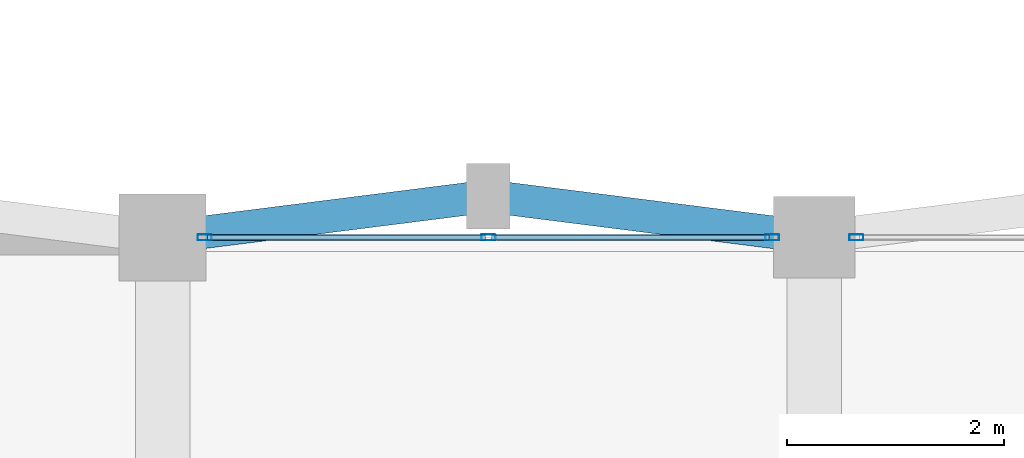
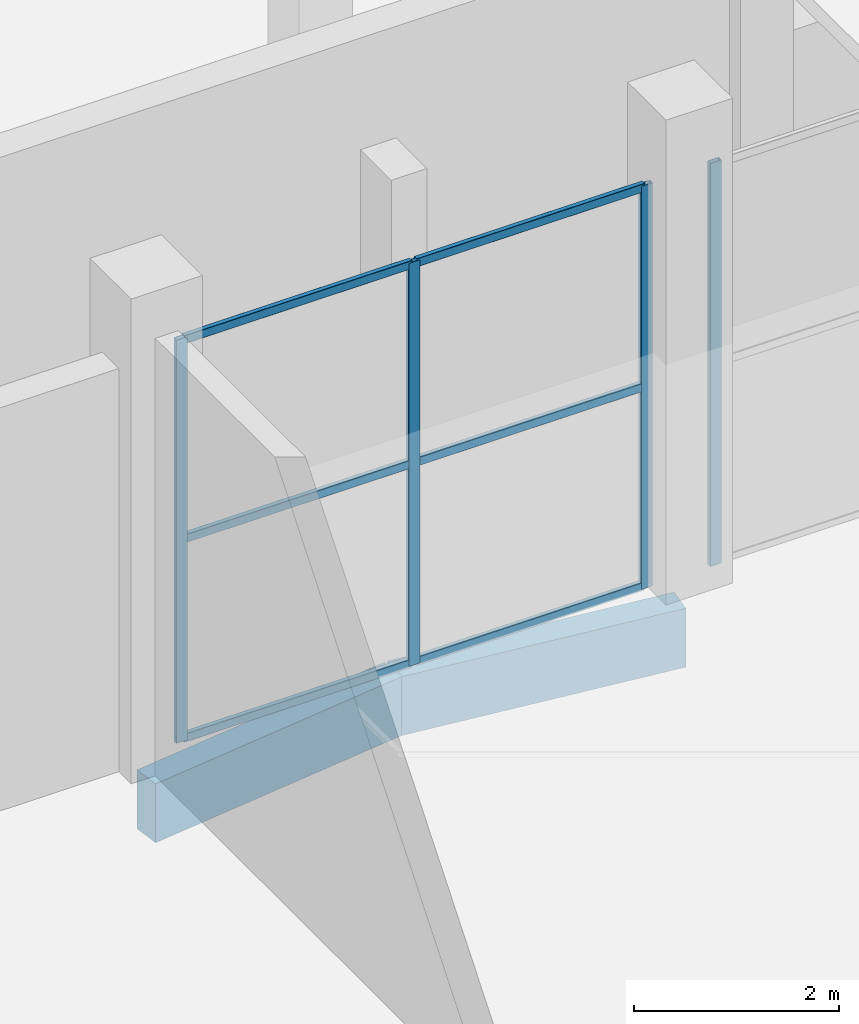
# One storey, part 37 of 103: 10 members, 2 beams, 2 elements without a shape of their own.
"""IFC4 building model written with IfcOpenShell, lengths in metres."""

from ifc_helpers import new_model, si_unit, direction, frame, origin, origin_2d, place, context, subcontext, project, spatial, rectangle, hollow_rectangle, extrude, material, layer, layer_set, material_profile, profile_set, type_object, element, aggregate, save


model = new_model("IFC4")

# Units and contexts
model_context = context("Model", 3, precision=1e-05, world=origin(), true_north=direction((0.0, 1.0)))
body_context = subcontext(model_context, "Body", "Model", "MODEL_VIEW")
ifc_project = project(units=[si_unit("LENGTHUNIT", "METRE"), si_unit("AREAUNIT", "SQUARE_METRE"), si_unit("VOLUMEUNIT", "CUBIC_METRE"), si_unit("PLANEANGLEUNIT", "RADIAN"), si_unit("MASSUNIT", "GRAM", prefix="KILO")], contexts=[model_context])

# Site, building, storey
site_placement = place(None, origin())
site = spatial("IfcSite", under=ifc_project, at=site_placement, CompositionType="ELEMENT")
building_placement = place(site_placement, origin())
building = spatial("IfcBuilding", under=site, at=building_placement, Name="Dunvalen Ferry Terminal", CompositionType="ELEMENT")
storey_placement = place(building_placement, origin())
storey = spatial("IfcBuildingStorey", under=building, at=storey_placement, Name="L00", CompositionType="ELEMENT", Elevation=0.0)

# Curtain wall, member
ifc_material_1 = material(Name="Anodised marine aluminium and solar-control glazing", Category="aluminium")
ifc_layer = layer(ifc_material_1, 0.14990234375, Name="Anodised marine aluminium and solar-control glazing")
ifc_layer_set = layer_set([ifc_layer], Name="Anodised marine aluminium and solar-control glazing")
curtain_wall_type = type_object("IfcCurtainWallType", Name="ENV-CW-SYS-11", PredefinedType="NOTDEFINED", material=ifc_layer_set)
curtain_wall_1_placement = place(storey_placement, origin())
curtain_wall_1 = element("IfcCurtainWall", 1, at=curtain_wall_1_placement, inside=storey, type_object=curtain_wall_type, Name="L00 Curtain Wall CW-V5CORE-L00-7-9", PredefinedType="NOTDEFINED")
ifc_material_2 = material(Name="Anodised marine aluminium EN AW-6063 T6", Category="aluminium")
ifc_material_profile_1 = material_profile(ifc_material_2, hollow_rectangle(XDim=0.054931640625, YDim=0.1298828125, WallThickness=0.003173828125, InnerFilletRadius=0.003173828125, OuterFilletRadius=0.00634765625, at=origin_2d()), Name="Anodised marine aluminium EN AW-6063 T6")
ifc_profile_set_1 = profile_set([ifc_material_profile_1], Name="Anodised marine aluminium EN AW-6063 T6")
member_type_1 = type_object("IfcMemberType", Name="ENV-CW-MUL-4", PredefinedType="MULLION", material=ifc_profile_set_1)
member_1_placement = place(storey_placement, frame((30.387451171875, 36.0, 0.0), z_axis=(0.0, 0.0, 1.0), x_axis=(0.0, -1.0, 0.0)))
member_1 = element("IfcMember", 2, at=member_1_placement, type_object=member_type_1, Name="CW-11 mullion 3", PredefinedType="MULLION", context=body_context, shape_type="SweptSolid", body=[
    extrude(hollow_rectangle(XDim=0.054931640625, YDim=0.1298828125, WallThickness=0.003173828125, InnerFilletRadius=0.003173828125, OuterFilletRadius=0.00634765625, at=origin_2d()), origin(), (0.0, 0.0, 1.0), 4.7900390625),
])
aggregate(curtain_wall_1, [member_1])

# Curtain wall, members
curtain_wall_2_placement = place(storey_placement, origin())
curtain_wall_2 = element("IfcCurtainWall", 3, at=curtain_wall_2_placement, inside=storey, type_object=curtain_wall_type, Name="L00 Curtain Wall CW-V5CORE-L00-7-10", PredefinedType="NOTDEFINED")
member_2_placement = place(storey_placement, frame((29.612548828125, 36.0, 0.0), z_axis=(0.0, 0.0, 1.0), x_axis=(0.0, -1.0, 0.0)))
member_2 = element("IfcMember", 4, at=member_2_placement, type_object=member_type_1, Name="CW-11 mullion 1", PredefinedType="MULLION", context=body_context, shape_type="SweptSolid", body=[
    extrude(hollow_rectangle(XDim=0.054931640625, YDim=0.1298828125, WallThickness=0.003173828125, InnerFilletRadius=0.003173828125, OuterFilletRadius=0.00634765625, at=origin_2d()), origin(), (0.0, 0.0, 1.0), 4.7900390625),
])
member_3_placement = place(storey_placement, frame((27.0, 36.0, 0.0), z_axis=(0.0, 0.0, 1.0), x_axis=(0.0, -1.0, 0.0)))
member_3 = element("IfcMember", 5, at=member_3_placement, type_object=member_type_1, Name="CW-11 mullion 2", PredefinedType="MULLION", context=body_context, shape_type="SweptSolid", body=[
    extrude(hollow_rectangle(XDim=0.054931640625, YDim=0.1298828125, WallThickness=0.003173828125, InnerFilletRadius=0.003173828125, OuterFilletRadius=0.00634765625, at=origin_2d()), origin(), (0.0, 0.0, 1.0), 4.7900390625),
])
member_4_placement = place(storey_placement, frame((24.387451171875, 36.0, 0.0), z_axis=(0.0, 0.0, 1.0), x_axis=(0.0, -1.0, 0.0)))
member_4 = element("IfcMember", 6, at=member_4_placement, type_object=member_type_1, Name="CW-11 mullion 3", PredefinedType="MULLION", context=body_context, shape_type="SweptSolid", body=[
    extrude(hollow_rectangle(XDim=0.054931640625, YDim=0.1298828125, WallThickness=0.003173828125, InnerFilletRadius=0.003173828125, OuterFilletRadius=0.00634765625, at=origin_2d()), origin(), (0.0, 0.0, 1.0), 4.7900390625),
])
ifc_material_profile_2 = material_profile(ifc_material_2, hollow_rectangle(XDim=0.054931640625, YDim=0.10009765625, WallThickness=0.0029296875, InnerFilletRadius=0.0029296875, OuterFilletRadius=0.006103515625, at=origin_2d()), Name="Anodised marine aluminium EN AW-6063 T6")
ifc_profile_set_2 = profile_set([ifc_material_profile_2], Name="Anodised marine aluminium EN AW-6063 T6")
member_type_2 = type_object("IfcMemberType", Name="ENV-CW-TRN-4", PredefinedType="USERDEFINED", material=ifc_profile_set_2)
member_5_placement = place(storey_placement, frame((29.5849609375, 36.0, 0.027587890625), z_axis=(-1.0, 0.0, 0.0), x_axis=(0.0, -1.0, 0.0)))
member_5 = element("IfcMember", 7, at=member_5_placement, type_object=member_type_2, Name="CW-11 transom 1.1", ObjectType="TRANSOM", PredefinedType="USERDEFINED", context=body_context, shape_type="SweptSolid", body=[
    extrude(hollow_rectangle(XDim=0.054931640625, YDim=0.10009765625, WallThickness=0.0029296875, InnerFilletRadius=0.0029296875, OuterFilletRadius=0.006103515625, at=origin_2d()), origin(), (0.0, 0.0, 1.0), 2.557373046875),
])
member_6_placement = place(storey_placement, frame((29.5849609375, 36.0, 2.39501953125), z_axis=(-1.0, 0.0, 0.0), x_axis=(0.0, -1.0, 0.0)))
member_6 = element("IfcMember", 8, at=member_6_placement, type_object=member_type_2, Name="CW-11 transom 1.2", ObjectType="TRANSOM", PredefinedType="USERDEFINED", context=body_context, shape_type="SweptSolid", body=[
    extrude(hollow_rectangle(XDim=0.054931640625, YDim=0.10009765625, WallThickness=0.0029296875, InnerFilletRadius=0.0029296875, OuterFilletRadius=0.006103515625, at=origin_2d()), origin(), (0.0, 0.0, 1.0), 2.557373046875),
])
member_7_placement = place(storey_placement, frame((29.5849609375, 36.0, 4.762451171875), z_axis=(-1.0, 0.0, 0.0), x_axis=(0.0, -1.0, 0.0)))
member_7 = element("IfcMember", 9, at=member_7_placement, type_object=member_type_2, Name="CW-11 transom 1.3", ObjectType="TRANSOM", PredefinedType="USERDEFINED", context=body_context, shape_type="SweptSolid", body=[
    extrude(hollow_rectangle(XDim=0.054931640625, YDim=0.10009765625, WallThickness=0.0029296875, InnerFilletRadius=0.0029296875, OuterFilletRadius=0.006103515625, at=origin_2d()), origin(), (0.0, 0.0, 1.0), 2.557373046875),
])
member_8_placement = place(storey_placement, frame((26.972412109375, 36.0, 0.027587890625), z_axis=(-1.0, 0.0, 0.0), x_axis=(0.0, -1.0, 0.0)))
member_8 = element("IfcMember", 10, at=member_8_placement, type_object=member_type_2, Name="CW-11 transom 2.1", ObjectType="TRANSOM", PredefinedType="USERDEFINED", context=body_context, shape_type="SweptSolid", body=[
    extrude(hollow_rectangle(XDim=0.054931640625, YDim=0.10009765625, WallThickness=0.0029296875, InnerFilletRadius=0.0029296875, OuterFilletRadius=0.006103515625, at=origin_2d()), origin(), (0.0, 0.0, 1.0), 2.557373046875),
])
member_9_placement = place(storey_placement, frame((26.972412109375, 36.0, 2.39501953125), z_axis=(-1.0, 0.0, 0.0), x_axis=(0.0, -1.0, 0.0)))
member_9 = element("IfcMember", 11, at=member_9_placement, type_object=member_type_2, Name="CW-11 transom 2.2", ObjectType="TRANSOM", PredefinedType="USERDEFINED", context=body_context, shape_type="SweptSolid", body=[
    extrude(hollow_rectangle(XDim=0.054931640625, YDim=0.10009765625, WallThickness=0.0029296875, InnerFilletRadius=0.0029296875, OuterFilletRadius=0.006103515625, at=origin_2d()), origin(), (0.0, 0.0, 1.0), 2.557373046875),
])
member_10_placement = place(storey_placement, frame((26.972412109375, 36.0, 4.762451171875), z_axis=(-1.0, 0.0, 0.0), x_axis=(0.0, -1.0, 0.0)))
member_10 = element("IfcMember", 12, at=member_10_placement, type_object=member_type_2, Name="CW-11 transom 2.3", ObjectType="TRANSOM", PredefinedType="USERDEFINED", context=body_context, shape_type="SweptSolid", body=[
    extrude(hollow_rectangle(XDim=0.054931640625, YDim=0.10009765625, WallThickness=0.0029296875, InnerFilletRadius=0.0029296875, OuterFilletRadius=0.006103515625, at=origin_2d()), origin(), (0.0, 0.0, 1.0), 2.557373046875),
])
aggregate(curtain_wall_2, [member_2, member_3, member_4, member_5, member_6, member_7, member_8, member_9, member_10])

# Beams
ifc_material_3 = material(Name="Concrete C40/50", Category="concrete")
ifc_material_profile_3 = material_profile(ifc_material_3, rectangle(XDim=0.300048828125, YDim=0.699951171875, at=origin_2d()), Name="Concrete C40/50")
ifc_profile_set_3 = profile_set([ifc_material_profile_3], Name="Concrete C40/50")
beam_type = type_object("IfcBeamType", Name="STR-BM-RCSP700", PredefinedType="SPANDREL", material=ifc_profile_set_3)
for number, where, z_axis, x_axis, name in (
    (13, (24.0, 36.0, -0.64990234375), (0.992077869489, 0.12562444376, 0.0), (-0.12562444376, 0.992077869489, 0.0), "L00 Passage Pilaster Spandrel Tie 03.1"),
    (14, (27.0, 36.3798828125, -0.64990234375), (0.992077869489, -0.12562444376, 0.0), (0.12562444376, 0.992077869489, 0.0), "L00 Passage Pilaster Spandrel Tie 03.2"),
):
    element("IfcBeam", number, at=place(storey_placement, frame(where, z_axis=z_axis, x_axis=x_axis)), inside=storey, type_object=beam_type, Name=name, PredefinedType="SPANDREL", context=body_context, shape_type="SweptSolid", body=[
        extrude(rectangle(XDim=0.300048828125, YDim=0.699951171875, at=origin_2d()), origin(), (0.0, 0.0, 1.0), 3.02392578125),
    ])

save(model, "model.ifc")
